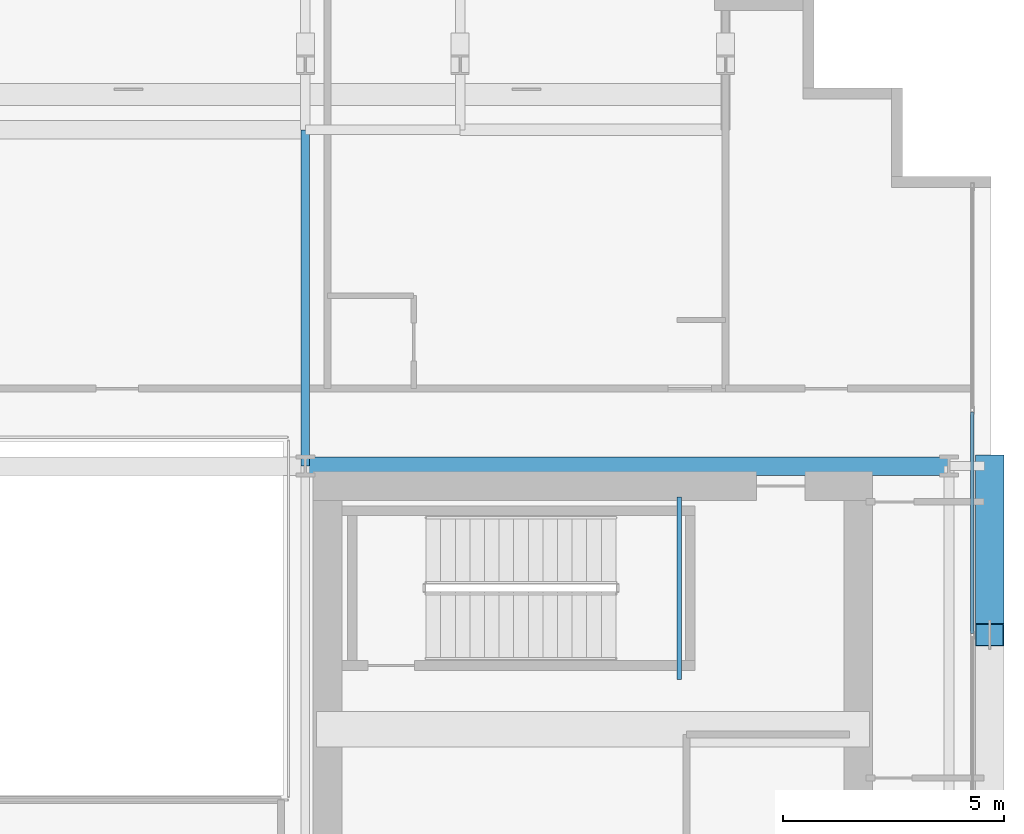
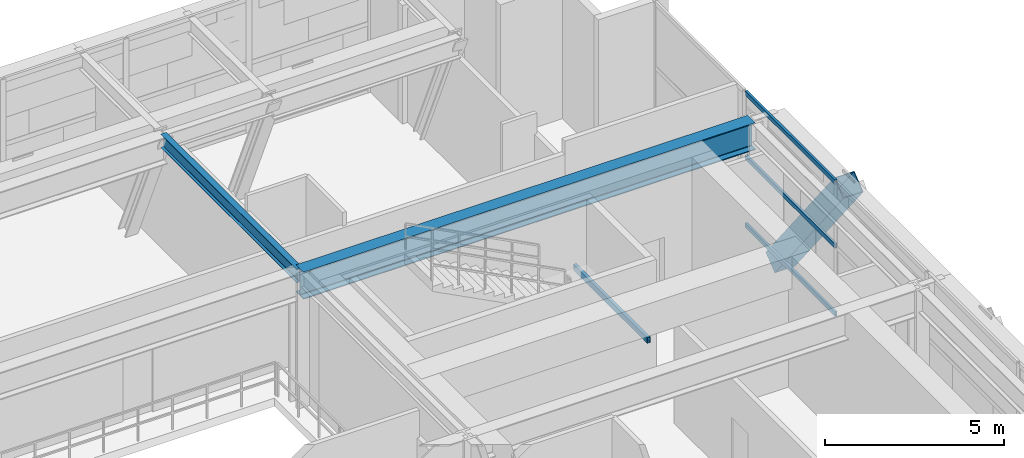
# One storey, part 21 of 35: 4 members, 3 beams, 1 element without a shape of its own.
"""IFC4 building model written with IfcOpenShell, lengths in metres."""

import ifcopenshell
import ifcopenshell.guid

model = None  # the IFC model being written
_history = None  # IfcOwnerHistory: only IFC2X3 demands one
_inside = {}  # id of a spatial element -> (the spatial element, [elements in it])
_under = {}  # id of a project, library or spatial element -> (it, [spatial elements below it])
_declared = {}  # id of a project -> (the project, [libraries it declares])
_typed = {}  # id of a type object -> (the type object, [elements of that type])
_made_of = {}  # id of a material, layer set ... -> (it, [elements and type objects made of it])


def new_model(schema):
    """Start an empty IFC model of exactly this schema.

    Asked for "IFC4X3", IfcOpenShell would pick the latest addendum, in which some entities
    have other attributes; the version numbers below select the first issue.
    IFC2X3 requires an IfcOwnerHistory on every rooted entity: one is made here for all.
    """
    global model, _history
    if schema == "IFC4X3":
        model = ifcopenshell.file(schema_version=(4, 3, 0, 0))
    else:
        model = ifcopenshell.file(schema=schema)
    _inside.clear()
    _under.clear()
    _declared.clear()
    _typed.clear()
    _made_of.clear()
    _history = None
    if model.schema == "IFC2X3":
        org = make("IfcOrganization", Name="unknown")
        user = make(
            "IfcPersonAndOrganization",
            ThePerson=make("IfcPerson", FamilyName="unknown"),
            TheOrganization=org,
        )
        app = make(
            "IfcApplication",
            ApplicationDeveloper=org,
            Version="unknown",
            ApplicationFullName="unknown",
            ApplicationIdentifier="unknown",
        )
        _history = make(
            "IfcOwnerHistory",
            OwningUser=user,
            OwningApplication=app,
            ChangeAction="ADDED",
            CreationDate=0,
        )
    return model


def make(cls, **values):
    """One entity of the class cls with the attributes given. An attribute that is None is left unset."""
    return model.create_entity(
        cls, **{name: value for name, value in values.items() if value is not None}
    )


def rooted(cls, **values):
    """An entity with a GlobalId (a new one), such as an element, a storey or a relation."""
    return make(cls, GlobalId=ifcopenshell.guid.new(), OwnerHistory=_history, **values)


def si_unit(unit_type, name, prefix=None):
    """IfcSIUnit, for example si_unit("LENGTHUNIT", "METRE", prefix="MILLI")."""
    return make("IfcSIUnit", UnitType=unit_type, Prefix=prefix, Name=name)


def assignment(units):
    """IfcUnitAssignment: the units of a project."""
    return None if units is None else make("IfcUnitAssignment", Units=units)


def point(xyz):
    """IfcCartesianPoint."""
    return None if xyz is None else make("IfcCartesianPoint", Coordinates=xyz)


def direction(xyz):
    """IfcDirection."""
    return None if xyz is None else make("IfcDirection", DirectionRatios=xyz)


def frame(location, z_axis=None, x_axis=None):
    """IfcAxis2Placement3D, a coordinate frame: its origin and axes. An axis left out is left unset."""
    return make(
        "IfcAxis2Placement3D",
        Location=point(location),
        Axis=direction(z_axis),
        RefDirection=direction(x_axis),
    )


def frame_2d(location, x_axis=None):
    """IfcAxis2Placement2D, a coordinate frame in the plane: its origin and x axis."""
    return make(
        "IfcAxis2Placement2D", Location=point(location), RefDirection=direction(x_axis)
    )


def origin():
    """The frame at (0, 0, 0) with its axes left unset."""
    return frame((0.0, 0.0, 0.0))


def origin_2d():
    """The frame at (0, 0) in the plane with its x axis left unset."""
    return frame_2d((0.0, 0.0))


def place(relative_to, where):
    """IfcLocalPlacement: puts the frame where relative to a parent placement (None: the world)."""
    return make(
        "IfcLocalPlacement", PlacementRelTo=relative_to, RelativePlacement=where
    )


def context(
    kind, dimensions, precision=None, world=None, true_north=None, identifier=None
):
    """IfcGeometricRepresentationContext, for example the 3D "Model" context."""
    return make(
        "IfcGeometricRepresentationContext",
        ContextIdentifier=identifier,
        ContextType=kind,
        CoordinateSpaceDimension=dimensions,
        Precision=precision,
        WorldCoordinateSystem=world,
        TrueNorth=true_north,
    )


def subcontext(parent, identifier, kind, view, scale=None):
    """IfcGeometricRepresentationSubContext, for example "Body" below "Model"."""
    return make(
        "IfcGeometricRepresentationSubContext",
        ContextIdentifier=identifier,
        ContextType=kind,
        ParentContext=parent,
        TargetScale=scale,
        TargetView=view,
    )


def project(units=None, contexts=None):
    """IfcProject with its units and contexts."""
    return rooted(
        "IfcProject",
        Name="project",
        RepresentationContexts=contexts,
        UnitsInContext=assignment(units),
    )


def spatial(cls, under=None, at=None, **own):
    """A site, building, storey or space (cls), placed at a placement, below another one or the project."""
    s = rooted(cls, ObjectPlacement=at, **own)
    if under is not None:
        _under.setdefault(under.id(), (under, []))[1].append(s)
    return s


def profile(cls, at=None, kind="AREA", **sizes):
    """A parametric profile (cls). Its sizes go by their IFC names, for example OverallWidth=200.0."""
    return make(cls, ProfileType=kind, Position=at, **sizes)


def hollow_rectangle(**sizes):
    """IfcRectangleHollowProfileDef."""
    return profile("IfcRectangleHollowProfileDef", **sizes)


def i_section(**sizes):
    """IfcIShapeProfileDef."""
    return profile("IfcIShapeProfileDef", **sizes)


def extrude(swept, where, along, depth):
    """IfcExtrudedAreaSolid: the profile swept, set in the frame where, extruded along a direction by depth."""
    return make(
        "IfcExtrudedAreaSolid",
        SweptArea=swept,
        Position=where,
        ExtrudedDirection=direction(along),
        Depth=depth,
    )


def shape(context_of_items, identifier, shape_type, items):
    """IfcShapeRepresentation: the items that make up one representation, for example the "Body"."""
    return make(
        "IfcShapeRepresentation",
        ContextOfItems=context_of_items,
        RepresentationIdentifier=identifier,
        RepresentationType=shape_type,
        Items=items,
    )


def source(mapping_origin, context_of_items, identifier, shape_type, items):
    """IfcRepresentationMap: a shape defined once, which mapped items show again and again."""
    return make(
        "IfcRepresentationMap",
        MappingOrigin=mapping_origin,
        MappedRepresentation=shape(context_of_items, identifier, shape_type, items),
    )


def transform(
    local_origin,
    x_axis=None,
    y_axis=None,
    z_axis=None,
    scale=None,
    scale2=None,
    scale3=None,
    uniform=True,
):
    """IfcCartesianTransformationOperator3D, or its non-uniform kind. x_axis, y_axis, z_axis: its Axis1, 2, 3."""
    if uniform:
        return make(
            "IfcCartesianTransformationOperator3D",
            Axis1=direction(x_axis),
            Axis2=direction(y_axis),
            LocalOrigin=point(local_origin),
            Scale=scale,
            Axis3=direction(z_axis),
        )
    return make(
        "IfcCartesianTransformationOperator3DnonUniform",
        Axis1=direction(x_axis),
        Axis2=direction(y_axis),
        LocalOrigin=point(local_origin),
        Scale=scale,
        Axis3=direction(z_axis),
        Scale2=scale2,
        Scale3=scale3,
    )


def mapped(mapping_source, mapping_target):
    """IfcMappedItem: shows the shape of a source again, moved by a transform."""
    return make(
        "IfcMappedItem", MappingSource=mapping_source, MappingTarget=mapping_target
    )


def material(Name=None, Category=None):
    """IfcMaterial."""
    return make("IfcMaterial", Name=Name, Category=Category)


def layer(
    of_material, thickness, ventilated=None, Name=None, Category=None, Priority=None
):
    """IfcMaterialLayer: one layer of a wall or slab, of a material (None: an air gap)."""
    return make(
        "IfcMaterialLayer",
        Material=of_material,
        LayerThickness=thickness,
        IsVentilated=ventilated,
        Name=Name,
        Category=Category,
        Priority=Priority,
    )


def layer_set(layers, Name=None):
    """IfcMaterialLayerSet."""
    return make("IfcMaterialLayerSet", MaterialLayers=layers, LayerSetName=Name)


def material_profile(
    of_material, cross_section, Name=None, Category=None, Priority=None
):
    """IfcMaterialProfile: a cross section and its material."""
    return make(
        "IfcMaterialProfile",
        Name=Name,
        Material=of_material,
        Profile=cross_section,
        Priority=Priority,
        Category=Category,
    )


def profile_set(profiles, Name=None, composite=None):
    """IfcMaterialProfileSet."""
    return make(
        "IfcMaterialProfileSet",
        Name=Name,
        MaterialProfiles=profiles,
        CompositeProfile=composite,
    )


def made_of(thing, what):
    """Note that an element or type object is made of a material, layer set ...; save() writes the relation."""
    if what is not None:
        _made_of.setdefault(what.id(), (what, []))[1].append(thing)
    return thing


def type_object(cls, material=None, **own):
    """A type object (cls), such as IfcWallType, which elements share."""
    return made_of(rooted(cls, **own), material)


def element(
    cls,
    number,
    at=None,
    inside=None,
    cuts=None,
    type_object=None,
    material=None,
    context=None,
    identifier="Body",
    shape_type=None,
    held_by="IfcProductDefinitionShape",
    body=None,
    shapes=None,
    **own,
):
    """One element of the class cls, such as IfcWall. Its Tag is "e" and its number.

    at: its placement. inside: the storey or other place that contains it. cuts: it is an
    opening in that element (IfcRelVoidsElement). A single representation is given by context,
    identifier, shape_type and body (its items); several are given by shapes. held_by: the class
    of the entity that holds the representations. save() writes the other relations.
    """
    e = rooted(cls, Tag="e%d" % number, ObjectPlacement=at, **own)
    if body is not None:
        shapes = [shape(context, identifier, shape_type, body)]
    if shapes is not None:
        e.Representation = make(held_by, Representations=shapes)
    if inside is not None:
        _inside.setdefault(inside.id(), (inside, []))[1].append(e)
    if cuts is not None:
        rooted(
            "IfcRelVoidsElement", RelatingBuildingElement=cuts, RelatedOpeningElement=e
        )
    if type_object is not None:
        _typed.setdefault(type_object.id(), (type_object, []))[1].append(e)
    return made_of(e, material)


def aggregate(whole, parts):
    """IfcRelAggregates: a whole, such as a stair, and the parts it consists of."""
    return rooted("IfcRelAggregates", RelatingObject=whole, RelatedObjects=parts)


def save(model, path):
    """Write the relations noted so far, then the file.

    IfcRelAggregates (storeys below a building ...), IfcRelContainedInSpatialStructure (elements
    in a storey), IfcRelDefinesByType, IfcRelAssociatesMaterial and IfcRelDeclares: one each for
    every whole, place, type object, material and project.
    """
    for whole, parts in _under.values():
        aggregate(whole, parts)
    for where, things in _inside.values():
        rooted(
            "IfcRelContainedInSpatialStructure",
            RelatedElements=things,
            RelatingStructure=where,
        )
    for kind, things in _typed.values():
        rooted("IfcRelDefinesByType", RelatedObjects=things, RelatingType=kind)
    for what, things in _made_of.values():
        rooted("IfcRelAssociatesMaterial", RelatedObjects=things, RelatingMaterial=what)
    for by, libraries in _declared.values():
        rooted("IfcRelDeclares", RelatingContext=by, RelatedDefinitions=libraries)
    model.write(path)


model = new_model("IFC4")

# Units and contexts
model_context = context("Model", 3, precision=1e-05, world=origin(), true_north=direction((0.0, 1.0)))
body_context = subcontext(model_context, "Body", "Model", "MODEL_VIEW")
ifc_project = project(units=[si_unit("LENGTHUNIT", "METRE"), si_unit("AREAUNIT", "SQUARE_METRE"), si_unit("VOLUMEUNIT", "CUBIC_METRE"), si_unit("PLANEANGLEUNIT", "RADIAN"), si_unit("MASSUNIT", "GRAM", prefix="KILO")], contexts=[model_context])

# Site, building, storey
site_placement = place(None, origin())
site = spatial("IfcSite", under=ifc_project, at=site_placement, CompositionType="ELEMENT")
building_placement = place(site_placement, origin())
building = spatial("IfcBuilding", under=site, at=building_placement, Name="Ocotamira Hotel", CompositionType="ELEMENT")
storey_placement = place(building_placement, frame((0.0, 0.0, 158.39990234375)))
storey = spatial("IfcBuildingStorey", under=building, at=storey_placement, Name="L39", CompositionType="ELEMENT", Elevation=158.39990234375)

# Beams
ifc_material_1 = material(Name="Steel ASTM A500 Grade C", Category="steel")
ifc_material_profile_1 = material_profile(ifc_material_1, hollow_rectangle(XDim=0.10009765625, YDim=0.199951171875, WallThickness=0.008056640625, at=origin_2d()), Name="HSS200X100X8")
ifc_profile_set_1 = profile_set([ifc_material_profile_1], Name="Steel ASTM A500 Grade C")
beam_type_1 = type_object("IfcBeamType", Name="BM-STLDG-HSS200", PredefinedType="BEAM", material=ifc_profile_set_1)
shared_shape_1 = source(origin(), body_context, "Body", "SweptSolid", [
    extrude(hollow_rectangle(XDim=0.10009765625, YDim=0.199951171875, WallThickness=0.008056640625, at=origin_2d()), origin(), (0.0, 0.0, 1.0), 4.1201171875),
])
beam_1_placement = place(storey_placement, frame((48.949951171875, 32.6298828125, 2.10009765625), z_axis=(0.0, 1.0, 0.0), x_axis=(-1.0, 0.0, 0.0)))
element("IfcBeam", 1, at=beam_1_placement, inside=storey, type_object=beam_type_1, Name="L39 Stair ST-4 Landing Bearer 1", PredefinedType="BEAM", context=body_context, shape_type="MappedRepresentation", body=[
    mapped(shared_shape_1, transform((0.0, 0.0, 0.0), scale=1.0)),
])
ifc_material_2 = material(Name="Steel ASTM A992 Grade 50", Category="steel")
ifc_material_profile_2 = material_profile(ifc_material_2, i_section(OverallWidth=0.41796875, OverallDepth=0.927001953125, WebThickness=0.019287109375, FlangeThickness=0.031982421875, FilletRadius=0.02392578125, at=origin_2d()), Name="W36X231")
ifc_profile_set_2 = profile_set([ifc_material_profile_2], Name="Steel ASTM A992 Grade 50")
beam_type_2 = type_object("IfcBeamType", Name="BM-GIRD-W36X231", PredefinedType="BEAM", material=ifc_profile_set_2)
shared_shape_2 = source(origin(), body_context, "Body", "SweptSolid", [
    extrude(i_section(OverallWidth=0.41796875, OverallDepth=0.927001953125, WebThickness=0.019287109375, FlangeThickness=0.031982421875, FilletRadius=0.02392578125, at=origin_2d()), origin(), (0.0, 0.0, 1.0), 14.550048828125),
])
beam_2_placement = place(storey_placement, frame((40.5, 37.449951171875, 4.106689453125), z_axis=(1.0, 0.0, 0.0), x_axis=(0.0, 1.0, 0.0)))
element("IfcBeam", 2, at=beam_2_placement, inside=storey, type_object=beam_type_2, Name="L39 Girder Y37.45 X40.5-55.05", PredefinedType="BEAM", context=body_context, shape_type="MappedRepresentation", body=[
    mapped(shared_shape_2, transform((0.0, 0.0, 0.0), scale=1.0)),
])
ifc_material_profile_3 = material_profile(ifc_material_2, i_section(OverallWidth=0.18994140625, OverallDepth=0.45703125, WebThickness=0.009033203125, FlangeThickness=0.014404296875, FilletRadius=0.010009765625, at=origin_2d()), Name="W18X50")
ifc_profile_set_3 = profile_set([ifc_material_profile_3], Name="Steel ASTM A992 Grade 50")
beam_type_3 = type_object("IfcBeamType", Name="BM-SEC-W18X50", PredefinedType="JOIST", material=ifc_profile_set_3)
shared_shape_3 = source(origin(), body_context, "Body", "SweptSolid", [
    extrude(i_section(OverallWidth=0.18994140625, OverallDepth=0.45703125, WebThickness=0.009033203125, FlangeThickness=0.014404296875, FilletRadius=0.010009765625, at=origin_2d()), origin(), (0.0, 0.0, 1.0), 7.60009765625),
])
beam_3_placement = place(storey_placement, frame((40.5, 37.449951171875, 4.341552734375), z_axis=(0.0, 1.0, 0.0), x_axis=(-1.0, 0.0, 0.0)))
element("IfcBeam", 3, at=beam_3_placement, inside=storey, type_object=beam_type_3, Name="L39 Beam X40.5 Y37.45-45.05", PredefinedType="JOIST", context=body_context, shape_type="MappedRepresentation", body=[
    mapped(shared_shape_3, transform((0.0, 0.0, 0.0), scale=1.0)),
])

# Member
ifc_material_3 = material(Name="Pale-metal coated steel ASTM A913 Grade 65", Category="steel")
ifc_material_profile_4 = material_profile(ifc_material_3, hollow_rectangle(XDim=0.64990234375, YDim=0.64990234375, WallThickness=0.02197265625, at=origin_2d()), Name="BOX650X650X22")
ifc_profile_set_4 = profile_set([ifc_material_profile_4], Name="Pale-metal coated steel ASTM A913 Grade 65")
member_type_1 = type_object("IfcMemberType", Name="MEM-EXO-BOX650", PredefinedType="BRACE", material=ifc_profile_set_4)
shared_shape_4 = source(origin(), body_context, "Body", "SweptSolid", [
    extrude(hollow_rectangle(XDim=0.64990234375, YDim=0.64990234375, WallThickness=0.02197265625, at=origin_2d()), origin(), (0.0, 0.0, 1.0), 6.171630859375),
])
member_1_placement = place(storey_placement, frame((55.969970703125, 37.449951171875, -0.52978515625), z_axis=(0.0, -0.618427608591, 0.785841773471), x_axis=(1.0, 0.0, 0.0)))
element("IfcMember", 4, at=member_1_placement, inside=storey, type_object=member_type_1, Name="L39 Exoskeleton Diagrid E2.2", PredefinedType="BRACE", context=body_context, shape_type="MappedRepresentation", body=[
    mapped(shared_shape_4, transform((0.0, 0.0, 0.0), scale=1.0)),
])

# Curtain wall, members
ifc_material_4 = material(Name="Anodised pale-metal aluminium and solar glass", Category="aluminium")
ifc_layer = layer(ifc_material_4, 0.239990234375)
ifc_layer_set = layer_set([ifc_layer], Name="Anodised pale-metal aluminium and solar glass")
curtain_wall_type = type_object("IfcCurtainWallType", Name="CW-SYS5-SKY", PredefinedType="NOTDEFINED", material=ifc_layer_set)
curtain_wall_placement = place(storey_placement, origin())
curtain_wall = element("IfcCurtainWall", 5, at=curtain_wall_placement, inside=storey, type_object=curtain_wall_type, Name="L39 Curtain Wall CW-5 CW-L39-E", PredefinedType="NOTDEFINED")
ifc_material_5 = material(Name="Anodised pale-metal aluminium 6063-T6", Category="aluminium")
ifc_material_profile_5 = material_profile(ifc_material_5, hollow_rectangle(XDim=0.074951171875, YDim=0.14990234375, WallThickness=0.006103515625, at=origin_2d()), Name="HSS150X75X6")
ifc_profile_set_5 = profile_set([ifc_material_profile_5], Name="Anodised pale-metal aluminium 6063-T6")
member_type_2 = type_object("IfcMemberType", Name="CWT-150X75", PredefinedType="USERDEFINED", material=ifc_profile_set_5)
shared_shape_5 = source(origin(), body_context, "Body", "SweptSolid", [
    extrude(hollow_rectangle(XDim=0.074951171875, YDim=0.14990234375, WallThickness=0.006103515625, at=origin_2d()), origin(), (0.0, 0.0, 1.0), 5.005859375),
])
member_2_placement = place(storey_placement, frame((55.580078125, 33.66845703125, 0.03759765625), z_axis=(0.0, 1.0, 0.0), x_axis=(-1.0, 0.0, 0.0)))
member_2 = element("IfcMember", 6, at=member_2_placement, type_object=member_type_2, Name="CW-5 transom 6.1", ObjectType="TRANSOM", PredefinedType="USERDEFINED", context=body_context, shape_type="MappedRepresentation", body=[
    mapped(shared_shape_5, transform((0.0, 0.0, 0.0), scale=1.0)),
])
member_3_placement = place(storey_placement, frame((55.580078125, 33.66845703125, 2.35009765625), z_axis=(0.0, 1.0, 0.0), x_axis=(-1.0, 0.0, 0.0)))
member_3 = element("IfcMember", 7, at=member_3_placement, type_object=member_type_2, Name="CW-5 transom 6.2", ObjectType="TRANSOM", PredefinedType="USERDEFINED", context=body_context, shape_type="MappedRepresentation", body=[
    mapped(shared_shape_5, transform((0.0, 0.0, 0.0), scale=1.0)),
])
member_4_placement = place(storey_placement, frame((55.580078125, 33.66845703125, 4.53271484375), z_axis=(0.0, 1.0, 0.0), x_axis=(-1.0, 0.0, 0.0)))
member_4 = element("IfcMember", 8, at=member_4_placement, type_object=member_type_2, Name="CW-5 transom 6.3", ObjectType="TRANSOM", PredefinedType="USERDEFINED", context=body_context, shape_type="MappedRepresentation", body=[
    mapped(shared_shape_5, transform((0.0, 0.0, 0.0), scale=1.0)),
])
aggregate(curtain_wall, [member_2, member_3, member_4])

save(model, "model.ifc")
